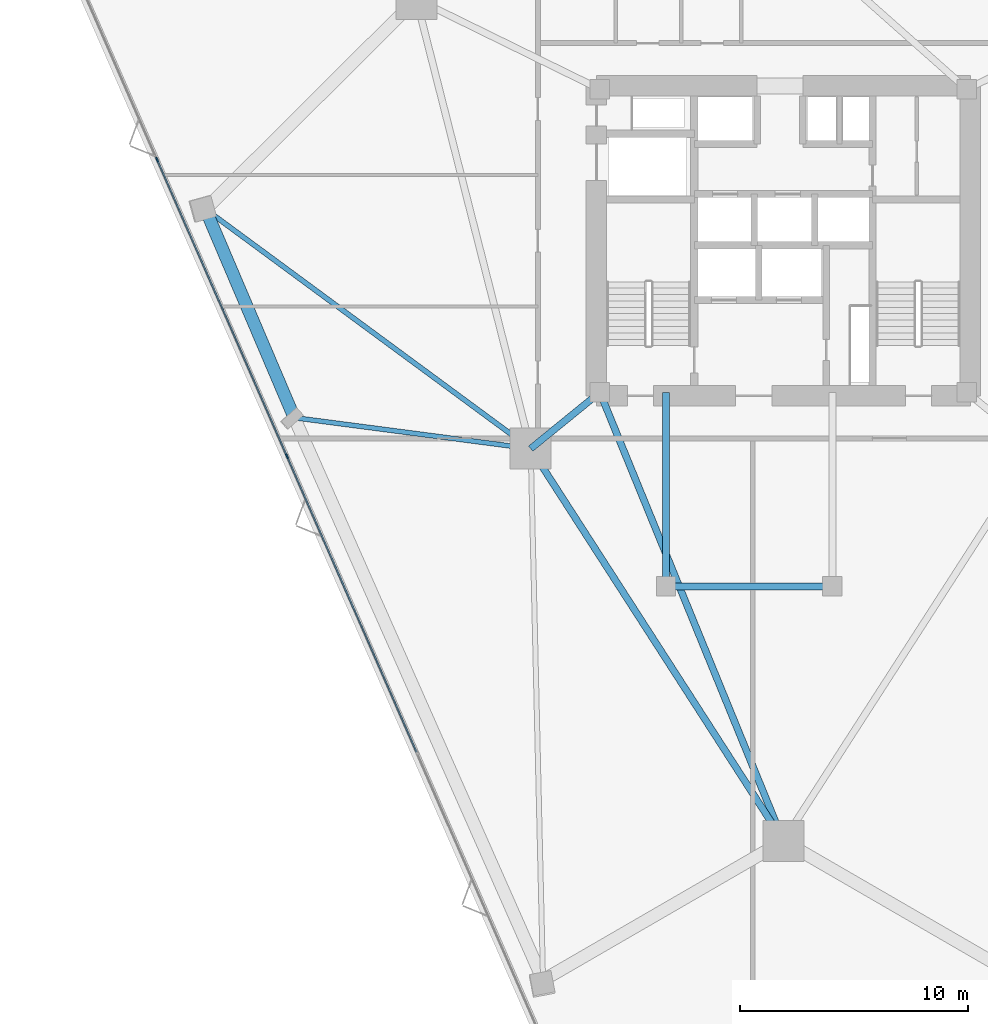
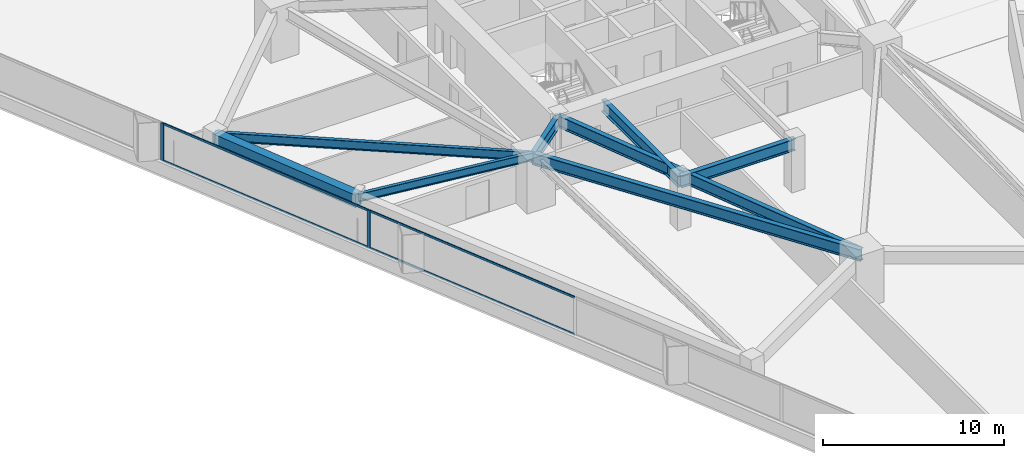
# One storey, part 4 of 16: 8 beams, 6 members, 1 element without a shape of its own.
"""IFC4 building model written with IfcOpenShell, lengths in metres."""

from ifc_helpers import new_model, si_unit, direction, frame, origin, origin_2d, place, context, subcontext, project, spatial, rectangle, i_section, extrude, material, layer, layer_set, material_profile, profile_set, type_object, element, aggregate, save


model = new_model("IFC4")

# Units and contexts
model_context = context("Model", 3, precision=1e-05, world=origin(), true_north=direction((0.0, 1.0)))
body_context = subcontext(model_context, "Body", "Model", "MODEL_VIEW")
ifc_project = project(units=[si_unit("LENGTHUNIT", "METRE"), si_unit("AREAUNIT", "SQUARE_METRE"), si_unit("VOLUMEUNIT", "CUBIC_METRE"), si_unit("PLANEANGLEUNIT", "RADIAN"), si_unit("MASSUNIT", "GRAM", prefix="KILO")], contexts=[model_context])

# Site, building, storey
site_placement = place(None, origin())
site = spatial("IfcSite", under=ifc_project, at=site_placement, CompositionType="ELEMENT")
building_placement = place(site_placement, origin())
building = spatial("IfcBuilding", under=site, at=building_placement, Name="Talyreon Biosciences Tower", CompositionType="ELEMENT")
storey_placement = place(building_placement, frame((0.0, 0.0, 44.699951171875)))
storey = spatial("IfcBuildingStorey", under=building, at=storey_placement, Name="L11", CompositionType="ELEMENT", Elevation=44.699951171875)

# Curtain wall, members
ifc_material_1 = material(Name="Thermally broken aluminium and low-E glazing", Category="aluminium")
ifc_layer = layer(ifc_material_1, 0.205078125)
ifc_layer_set = layer_set([ifc_layer], Name="Thermally broken aluminium and low-E glazing")
curtain_wall_type = type_object("IfcCurtainWallType", Name="CurtainWall_SkyGardenLoggia", PredefinedType="NOTDEFINED", material=ifc_layer_set)
curtain_wall_placement = place(storey_placement, origin())
curtain_wall = element("IfcCurtainWall", 1, at=curtain_wall_placement, inside=storey, type_object=curtain_wall_type, Name="L11 Unitised Curtain Wall FCW-L11-15", PredefinedType="NOTDEFINED")
ifc_material_2 = material(Name="Anodised thermally broken aluminium", Category="aluminium")
ifc_material_profile_1 = material_profile(ifc_material_2, rectangle(XDim=0.074951171875, YDim=0.2099609375, at=origin_2d()), Name="ALUM MULLION 75x210")
ifc_profile_set_1 = profile_set([ifc_material_profile_1], Name="Anodised thermally broken aluminium")
member_type_1 = type_object("IfcMemberType", Name="CWMullion_75x210", PredefinedType="MULLION", material=ifc_profile_set_1)
member_1_placement = place(storey_placement, frame((44.221435546875, 58.549072265625, 0.81005859375), z_axis=(0.0, 0.0, 1.0), x_axis=(-0.916035471245, -0.40109726429, 0.0)))
member_1 = element("IfcMember", 2, at=member_1_placement, type_object=member_type_1, Name="CW7 mullion 4", PredefinedType="MULLION", context=body_context, shape_type="SweptSolid", body=[
    extrude(rectangle(XDim=0.074951171875, YDim=0.2099609375, at=origin_2d()), origin(), (0.0, 0.0, 1.0), 2.56494140625),
])
member_2_placement = place(storey_placement, frame((38.525390625, 71.55810546875, 0.81005859375), z_axis=(0.0, 0.0, 1.0), x_axis=(-0.916035471245, -0.40109726429, 0.0)))
member_2 = element("IfcMember", 3, at=member_2_placement, type_object=member_type_1, Name="CW7 mullion 5", PredefinedType="MULLION", context=body_context, shape_type="SweptSolid", body=[
    extrude(rectangle(XDim=0.074951171875, YDim=0.2099609375, at=origin_2d()), origin(), (0.0, 0.0, 1.0), 2.56494140625),
])
ifc_material_profile_2 = material_profile(ifc_material_2, rectangle(XDim=0.06494140625, YDim=0.139892578125, at=origin_2d()), Name="ALUM TRANSOM 65x140")
ifc_profile_set_2 = profile_set([ifc_material_profile_2], Name="Anodised thermally broken aluminium")
member_type_2 = type_object("IfcMemberType", Name="CWTransom_65x140", PredefinedType="USERDEFINED", material=ifc_profile_set_2)
member_3_placement = place(storey_placement, frame((49.902587890625, 45.574462890625, 0.842529296875), z_axis=(-0.401090802253, 0.916038300699, 0.0), x_axis=(-0.916038300699, -0.401090802253, 0.0)))
member_3 = element("IfcMember", 4, at=member_3_placement, type_object=member_type_2, Name="CW7 transom 3.1", ObjectType="TRANSOM", PredefinedType="USERDEFINED", context=body_context, shape_type="SweptSolid", body=[
    extrude(rectangle(XDim=0.06494140625, YDim=0.139892578125, at=origin_2d()), origin(), (0.0, 0.0, 1.0), 14.12646484375),
])
member_4_placement = place(storey_placement, frame((49.902587890625, 45.574462890625, 3.342529296875), z_axis=(-0.401090802253, 0.916038300699, 0.0), x_axis=(-0.916038300699, -0.401090802253, 0.0)))
member_4 = element("IfcMember", 5, at=member_4_placement, type_object=member_type_2, Name="CW7 transom 3.2", ObjectType="TRANSOM", PredefinedType="USERDEFINED", context=body_context, shape_type="SweptSolid", body=[
    extrude(rectangle(XDim=0.06494140625, YDim=0.139892578125, at=origin_2d()), origin(), (0.0, 0.0, 1.0), 14.12646484375),
])
member_5_placement = place(storey_placement, frame((44.20654296875, 58.58349609375, 0.842529296875), z_axis=(-0.401111654299, 0.91602917027, 0.0), x_axis=(-0.91602917027, -0.401111654299, 0.0)))
member_5 = element("IfcMember", 6, at=member_5_placement, type_object=member_type_2, Name="CW7 transom 4.1", ObjectType="TRANSOM", PredefinedType="USERDEFINED", context=body_context, shape_type="SweptSolid", body=[
    extrude(rectangle(XDim=0.06494140625, YDim=0.139892578125, at=origin_2d()), origin(), (0.0, 0.0, 1.0), 14.12646484375),
])
member_6_placement = place(storey_placement, frame((44.20654296875, 58.58349609375, 3.342529296875), z_axis=(-0.401111654299, 0.91602917027, 0.0), x_axis=(-0.91602917027, -0.401111654299, 0.0)))
member_6 = element("IfcMember", 7, at=member_6_placement, type_object=member_type_2, Name="CW7 transom 4.2", ObjectType="TRANSOM", PredefinedType="USERDEFINED", context=body_context, shape_type="SweptSolid", body=[
    extrude(rectangle(XDim=0.06494140625, YDim=0.139892578125, at=origin_2d()), origin(), (0.0, 0.0, 1.0), 14.12646484375),
])
aggregate(curtain_wall, [member_1, member_2, member_3, member_4, member_5, member_6])

# Beams
ifc_material_3 = material(Name="Precast concrete C45/55", Category="concrete")
ifc_material_profile_3 = material_profile(ifc_material_3, rectangle(XDim=0.550048828125, YDim=0.85009765625, at=origin_2d()), Name="RCB 550x850")
ifc_profile_set_3 = profile_set([ifc_material_profile_3], Name="Precast concrete C45/55")
beam_type_1 = type_object("IfcBeamType", Name="ExpressedSpandrel_550x850", PredefinedType="SPANDREL", material=ifc_profile_set_3)
beam_1_placement = place(storey_placement, frame((40.64453125, 69.385498046875, 2.949951171875), z_axis=(0.391864374743, -0.92002299526, 0.0), x_axis=(0.92002299526, 0.391864374743, 0.0)))
element("IfcBeam", 8, at=beam_1_placement, inside=storey, type_object=beam_type_1, Name="L11 Expressed Horizontal Concrete Spandrel 10", PredefinedType="SPANDREL", context=body_context, shape_type="SweptSolid", body=[
    extrude(rectangle(XDim=0.550048828125, YDim=0.85009765625, at=origin_2d()), origin(), (0.0, 0.0, 1.0), 9.941650390625),
])
ifc_material_4 = material(Name="Steel SM355", Category="steel")
ifc_material_profile_4 = material_profile(ifc_material_4, i_section(OverallWidth=0.300048828125, OverallDepth=0.800048828125, WebThickness=0.017578125, FlangeThickness=0.032958984375, FilletRadius=0.030029296875, at=origin_2d()), Name="HE800B")
ifc_profile_set_4 = profile_set([ifc_material_profile_4], Name="Steel SM355")
beam_type_2 = type_object("IfcBeamType", Name="SteelGirder_HE800B", PredefinedType="BEAM", material=ifc_profile_set_4)
beam_2_placement = place(storey_placement, frame((54.913818359375, 58.88037109375, 2.97509765625), z_axis=(0.541463723609, -0.840724114092, 0.0), x_axis=(0.840724114092, 0.541463723609, 0.0)))
element("IfcBeam", 9, at=beam_2_placement, inside=storey, type_object=beam_type_2, Name="L11 Mega-Ring Girder 6", PredefinedType="BEAM", context=body_context, shape_type="SweptSolid", body=[
    extrude(i_section(OverallWidth=0.300048828125, OverallDepth=0.800048828125, WebThickness=0.017578125, FlangeThickness=0.032958984375, FilletRadius=0.030029296875, at=origin_2d()), origin(), (0.0, 0.0, 1.0), 20.474365234375),
])
beam_3_placement = place(storey_placement, frame((57.949951171875, 61.35009765625, 2.97509765625), z_axis=(0.378547014545, -0.925582064314, 0.0), x_axis=(0.925582064314, 0.378547014545, 0.0)))
element("IfcBeam", 10, at=beam_3_placement, inside=storey, type_object=beam_type_2, Name="L11 Radial Primary Girder 1", PredefinedType="BEAM", context=body_context, shape_type="SweptSolid", body=[
    extrude(i_section(OverallWidth=0.300048828125, OverallDepth=0.800048828125, WebThickness=0.017578125, FlangeThickness=0.032958984375, FilletRadius=0.030029296875, at=origin_2d()), origin(), (0.0, 0.0, 1.0), 21.265625),
])
beam_4_placement = place(storey_placement, frame((57.949951171875, 61.35009765625, 2.97509765625), z_axis=(-0.775755154013, -0.631034025249, 0.0), x_axis=(0.631034025249, -0.775755154013, 0.0)))
element("IfcBeam", 11, at=beam_4_placement, inside=storey, type_object=beam_type_2, Name="L11 Radial Primary Girder 6", PredefinedType="BEAM", context=body_context, shape_type="SweptSolid", body=[
    extrude(i_section(OverallWidth=0.300048828125, OverallDepth=0.800048828125, WebThickness=0.017578125, FlangeThickness=0.032958984375, FilletRadius=0.030029296875, at=origin_2d()), origin(), (0.0, 0.0, 1.0), 3.913818359375),
])
beam_5_placement = place(storey_placement, frame((60.85009765625, 52.840087890625, 2.97509765625), z_axis=(1.0, 0.0, 0.0), x_axis=(0.0, 1.0, 0.0)))
element("IfcBeam", 12, at=beam_5_placement, inside=storey, type_object=beam_type_2, Name="L11 Crown Shaft Spine Girder S", PredefinedType="BEAM", context=body_context, shape_type="SweptSolid", body=[
    extrude(i_section(OverallWidth=0.300048828125, OverallDepth=0.800048828125, WebThickness=0.017578125, FlangeThickness=0.032958984375, FilletRadius=0.030029296875, at=origin_2d()), origin(), (0.0, 0.0, 1.0), 7.2998046875),
])
beam_6_placement = place(storey_placement, frame((60.85009765625, 52.840087890625, 2.97509765625), z_axis=(0.0, 1.0, 0.0), x_axis=(-1.0, 0.0, 0.0)))
element("IfcBeam", 13, at=beam_6_placement, inside=storey, type_object=beam_type_2, Name="L11 Crown Shaft Tie Girder W", PredefinedType="BEAM", context=body_context, shape_type="SweptSolid", body=[
    extrude(i_section(OverallWidth=0.300048828125, OverallDepth=0.800048828125, WebThickness=0.017578125, FlangeThickness=0.032958984375, FilletRadius=0.030029296875, at=origin_2d()), origin(), (0.0, 0.0, 1.0), 8.510009765625),
])
ifc_material_profile_5 = material_profile(ifc_material_4, i_section(OverallWidth=0.2099609375, OverallDepth=0.550048828125, WebThickness=0.010986328125, FlangeThickness=0.01708984375, FilletRadius=0.02392578125, at=origin_2d()), Name="IPE550")
ifc_profile_set_5 = profile_set([ifc_material_profile_5], Name="Steel SM355")
beam_type_3 = type_object("IfcBeamType", Name="SteelJoist_IPE550", PredefinedType="JOIST", material=ifc_profile_set_5)
beam_7_placement = place(storey_placement, frame((54.913818359375, 58.88037109375, 3.10009765625), z_axis=(-0.991531957522, 0.129862917007, 0.0), x_axis=(-0.129862917007, -0.991531957522, 0.0)))
element("IfcBeam", 14, at=beam_7_placement, inside=storey, type_object=beam_type_3, Name="L11 Radial Composite Floor Joist PL-SW", PredefinedType="JOIST", context=body_context, shape_type="SweptSolid", body=[
    extrude(i_section(OverallWidth=0.2099609375, OverallDepth=0.550048828125, WebThickness=0.010986328125, FlangeThickness=0.01708984375, FilletRadius=0.02392578125, at=origin_2d()), origin(), (0.0, 0.0, 1.0), 10.462158203125),
])
ifc_material_profile_6 = material_profile(ifc_material_4, i_section(OverallWidth=0.219970703125, OverallDepth=0.60009765625, WebThickness=0.011962890625, FlangeThickness=0.01904296875, FilletRadius=0.02392578125, at=origin_2d()), Name="IPE600")
ifc_profile_set_6 = profile_set([ifc_material_profile_6], Name="Steel SM355")
beam_type_4 = type_object("IfcBeamType", Name="SteelJoist_IPE600", PredefinedType="JOIST", material=ifc_profile_set_6)
beam_8_placement = place(storey_placement, frame((54.913818359375, 58.88037109375, 3.074951171875), z_axis=(-0.805300611984, 0.592866700311, 0.0), x_axis=(-0.592866700311, -0.805300611984, 0.0)))
element("IfcBeam", 15, at=beam_8_placement, inside=storey, type_object=beam_type_4, Name="L11 Radial Composite Floor Joist PC-SW1", PredefinedType="JOIST", context=body_context, shape_type="SweptSolid", body=[
    extrude(i_section(OverallWidth=0.219970703125, OverallDepth=0.60009765625, WebThickness=0.011962890625, FlangeThickness=0.01904296875, FilletRadius=0.02392578125, at=origin_2d()), origin(), (0.0, 0.0, 1.0), 17.71923828125),
])

save(model, "model.ifc")
